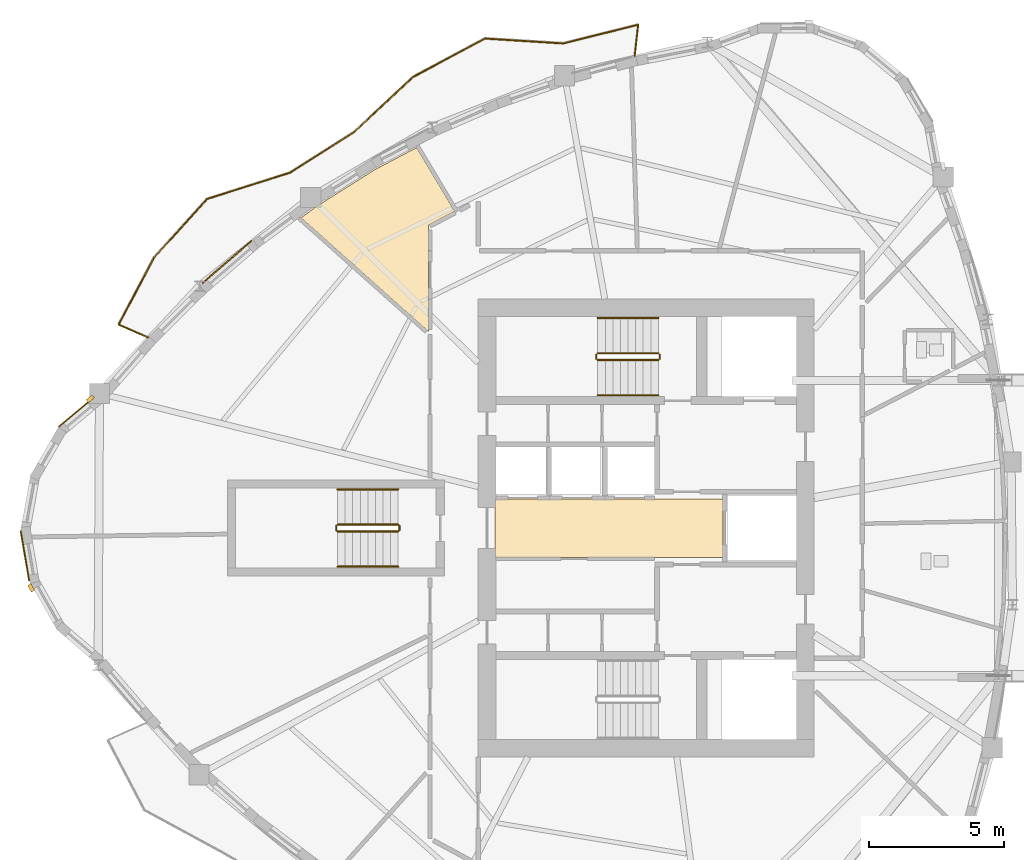
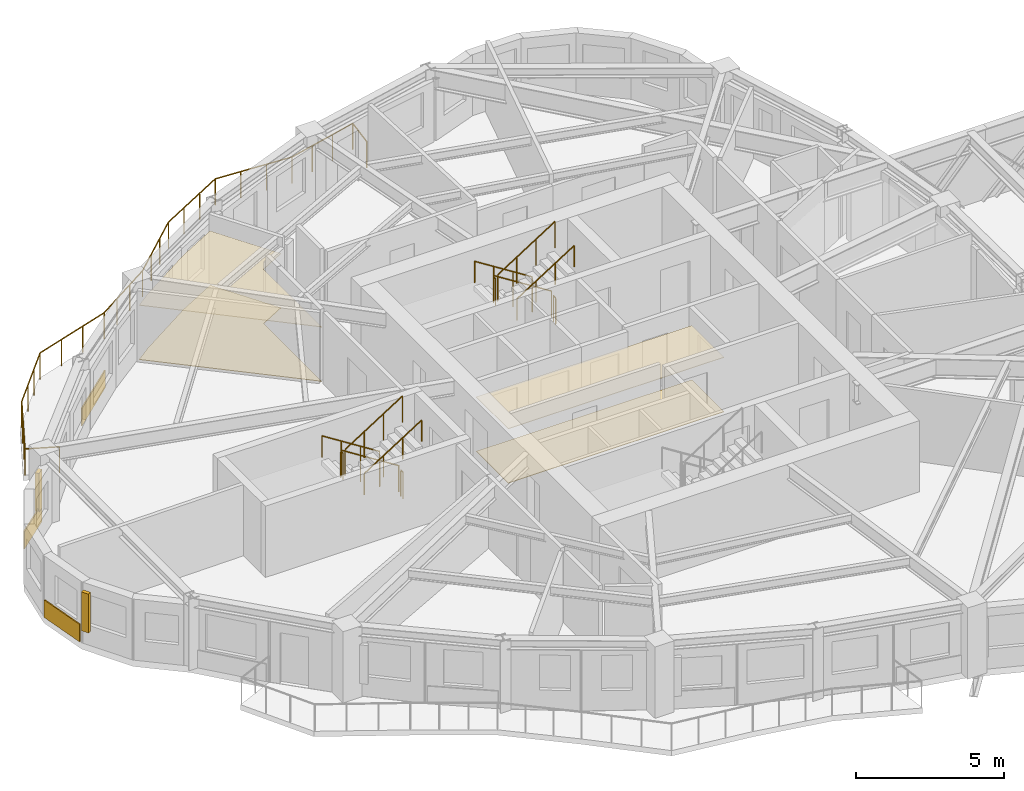
# One storey, part 11 of 13: 13 railings, 7 coverings, 2 shading devices.
"""IFC4 building model written with IfcOpenShell, lengths in metres."""

from ifc_helpers import new_model, si_unit, direction, frame, origin, origin_2d, place, context, subcontext, project, spatial, polyline, rectangle, circle, outline, extrude, source, transform, mapped, material, layer, layer_set, type_object, element, save


model = new_model("IFC4")

# Units and contexts
model_context = context("Model", 3, precision=1e-05, world=origin(), true_north=direction((0.0, 1.0)))
body_context = subcontext(model_context, "Body", "Model", "MODEL_VIEW")
ifc_project = project(units=[si_unit("LENGTHUNIT", "METRE"), si_unit("AREAUNIT", "SQUARE_METRE"), si_unit("VOLUMEUNIT", "CUBIC_METRE"), si_unit("PLANEANGLEUNIT", "RADIAN"), si_unit("MASSUNIT", "GRAM", prefix="KILO")], contexts=[model_context])

# Site, building, storey
site_placement = place(None, origin())
site = spatial("IfcSite", under=ifc_project, at=site_placement, CompositionType="ELEMENT")
building_placement = place(site_placement, origin())
building = spatial("IfcBuilding", under=site, at=building_placement, Name="Qafzar Sky-Pleat Residences", CompositionType="ELEMENT")
storey_placement = place(building_placement, frame((0.0, 0.0, 152.199951171875)))
storey = spatial("IfcBuildingStorey", under=building, at=storey_placement, Name="L45", CompositionType="ELEMENT", Elevation=152.199951171875)

# Coverings
ifc_material_1 = material(Name="Perforated acoustic gypsum board ceiling")
ifc_layer_1 = layer(ifc_material_1, 0.02001953125)
ifc_layer_set_1 = layer_set([ifc_layer_1], Name="Perforated acoustic gypsum board ceiling")
covering_type_1 = type_object("IfcCoveringType", Name="COV-CEIL-ACOUSTIC", PredefinedType="CEILING", material=ifc_layer_set_1)
covering_1_placement = place(storey_placement, frame((0.0, 0.0, 2.239990234375)))
element("IfcCovering", 1, at=covering_1_placement, inside=storey, type_object=covering_type_1, Name="L45 Passenger Lift Lobby Acoustic Ceiling", PredefinedType="CEILING", context=body_context, shape_type="SweptSolid", body=[
    extrude(outline(polyline([(33.179931640625, 24.919921875), (24.77001953125, 24.919921875), (24.77001953125, 27.080078125), (33.179931640625, 27.080078125), (33.179931640625, 24.919921875)])), origin(), (0.0, 0.0, 1.0), 0.02001953125),
])
covering_2_placement = place(storey_placement, frame((0.0, 0.0, 2.239990234375)))
element("IfcCovering", 2, at=covering_2_placement, inside=storey, type_object=covering_type_1, Name="L45 Communal Kitchen Acoustic Ceiling", PredefinedType="CEILING", context=body_context, shape_type="SweptSolid", body=[
    extrude(outline(polyline([(18.1875, 37.873291015625), (20.35693359375, 39.238037109375), (21.875244140625, 40.039306640625), (23.279296875, 37.693603515625), (22.31005859375, 37.181884765625), (22.31005859375, 33.2578125), (17.614990234375, 37.44921875), (18.1875, 37.873291015625)])), origin(), (0.0, 0.0, 1.0), 0.02001953125),
])
ifc_material_2 = material(Name="Honed porcelain and Riyadh stone tile flooring", Category="masonry")
ifc_layer_2 = layer(ifc_material_2, 0.02001953125)
ifc_layer_set_2 = layer_set([ifc_layer_2], Name="Honed porcelain and Riyadh stone tile flooring")
covering_type_2 = type_object("IfcCoveringType", Name="COV-FLR-PORCELAIN", PredefinedType="FLOORING", material=ifc_layer_set_2)
covering_3_placement = place(storey_placement, origin())
element("IfcCovering", 3, at=covering_3_placement, inside=storey, type_object=covering_type_2, Name="L45 Passenger Lift Lobby Honed Stone Flooring", PredefinedType="FLOORING", context=body_context, shape_type="SweptSolid", body=[
    extrude(outline(polyline([(33.179931640625, 24.919921875), (24.77001953125, 24.919921875), (24.77001953125, 27.080078125), (33.179931640625, 27.080078125), (33.179931640625, 24.919921875)])), origin(), (0.0, 0.0, 1.0), 0.02001953125),
])
covering_4_placement = place(storey_placement, origin())
element("IfcCovering", 4, at=covering_4_placement, inside=storey, type_object=covering_type_2, Name="L45 Communal Kitchen Honed Stone Flooring", PredefinedType="FLOORING", context=body_context, shape_type="SweptSolid", body=[
    extrude(outline(polyline([(18.1875, 37.873291015625), (20.35693359375, 39.238037109375), (21.875244140625, 40.039306640625), (23.279296875, 37.693603515625), (22.31005859375, 37.181884765625), (22.31005859375, 33.2578125), (17.614990234375, 37.44921875), (18.1875, 37.873291015625)])), origin(), (0.0, 0.0, 1.0), 0.02001953125),
])

# Shading devices
ifc_material_3 = material(Name="Honed Riyadh limestone solar fin", Category="masonry")
ifc_layer_3 = layer(ifc_material_3, 0.139892578125)
ifc_layer_set_3 = layer_set([ifc_layer_3], Name="Honed Riyadh limestone solar fin")
shading_device_type = type_object("IfcShadingDeviceType", Name="SHD-FIN-STONE", PredefinedType="SHUTTER", material=ifc_layer_set_3)
shared_shape_1 = source(origin(), body_context, "Body", "SweptSolid", [
    extrude(rectangle(XDim=0.139892578125, YDim=0.280029296875, at=origin_2d()), origin(), (0.0, 0.0, 1.0), 1.60009765625),
])
for number, where, z_axis, x_axis, name in (
    (5, (9.833740234375, 30.767333984375, 0.60009765625), (0.0, 0.0, 1.0), (-0.642203231287, 0.766534415225, 0.0), "L45 Limestone Solar Fin 1"),
    (6, (7.65185546875, 23.7919921875, 0.60009765625), (0.0, 0.0, 1.0), (-0.86961473554, -0.493730910245, 0.0), "L45 Limestone Solar Fin 5"),
):
    element("IfcShadingDevice", number, at=place(storey_placement, frame(where, z_axis=z_axis, x_axis=x_axis)), inside=storey, type_object=shading_device_type, Name=name, PredefinedType="SHUTTER", context=body_context, shape_type="MappedRepresentation", body=[
        mapped(shared_shape_1, transform((0.0, 0.0, 0.0), x_axis=(1.0, 0.0, 0.0), y_axis=(0.0, 1.0, 0.0), z_axis=(0.0, 0.0, 1.0), scale=1.0)),
    ])

# Covering
ifc_material_4 = material(Name="Honed Riyadh Tuwaiq limestone cladding", Category="masonry")
ifc_layer_4 = layer(ifc_material_4, 0.044921875)
ifc_layer_set_4 = layer_set([ifc_layer_4], Name="Honed Riyadh Tuwaiq limestone cladding")
covering_type_3 = type_object("IfcCoveringType", Name="COV-CLAD-STONE", PredefinedType="CLADDING", material=ifc_layer_set_4)
shared_shape_2 = source(origin(), body_context, "Body", "SweptSolid", [
    extrude(rectangle(XDim=1.873046875, YDim=0.044921875, at=origin_2d()), origin(), (0.0, 0.0, 1.0), 0.719970703125),
])
covering_5_placement = place(storey_placement, frame((7.420654296875, 24.98046875, 0.02001953125), z_axis=(0.0, 0.0, 1.0), x_axis=(0.168083505524, -0.985772760412, 0.0)))
element("IfcCovering", 7, at=covering_5_placement, inside=storey, type_object=covering_type_3, Name="L45 Riyadh Limestone Spandrel Cladding 4", PredefinedType="CLADDING", context=body_context, shape_type="MappedRepresentation", body=[
    mapped(shared_shape_2, transform((0.0, 0.0, 0.0), x_axis=(1.0, 0.0, 0.0), y_axis=(0.0, 1.0, 0.0), z_axis=(0.0, 0.0, 1.0), scale=1.0)),
])

# Railing
ifc_material_5 = material(Name="Laminated glass and bronze steel balustrade", Category="steel")
railing_type_1 = type_object("IfcRailingType", Name="RAIL-BAL-1100", PredefinedType="BALUSTRADE", material=ifc_material_5)
shared_shape_3 = source(origin(), body_context, "Body", "SweptSolid", [
    extrude(circle(Radius=0.02392578125, at=origin_2d()), frame((0.0, 0.0, 1.076171875), z_axis=(0.11004483681, 0.993926623998, 0.0), x_axis=(-0.993926623998, 0.11004483681, 0.0)), (0.0, 0.0, 1.0), 1.177978515625),
    extrude(circle(Radius=0.02392578125, at=origin_2d()), frame((0.129638671875, 1.1708984375, 1.076171875), z_axis=(-0.970082042591, -0.242777327284, 0.0), x_axis=(0.242777327284, -0.970082042591, 0.0)), (0.0, 0.0, 1.0), 2.851806640625),
    extrude(circle(Radius=0.02392578125, at=origin_2d()), frame((-2.636962890625, 0.478515625, 1.076171875), z_axis=(-0.998049951863, 0.062420297868, 0.0), x_axis=(-0.062420297868, -0.998049951863, 0.0)), (0.0, 0.0, 1.0), 2.894287109375),
    extrude(circle(Radius=0.02392578125, at=origin_2d()), frame((-5.525634765625, 0.6591796875, 1.076171875), z_axis=(-0.881675957054, -0.471855387542, 0.0), x_axis=(0.471855387542, -0.881675957054, 0.0)), (0.0, 0.0, 1.0), 2.998779296875),
    extrude(circle(Radius=0.02392578125, at=origin_2d()), frame((-8.169677734375, -0.755859375, 1.076171875), z_axis=(-0.731104069818, -0.68226595921, 0.0), x_axis=(0.68226595921, -0.731104069818, 0.0)), (0.0, 0.0, 1.0), 2.994384765625),
    extrude(circle(Radius=0.02392578125, at=origin_2d()), frame((-10.35888671875, -2.798828125, 1.076171875), z_axis=(-0.84478081751, -0.535112483845, 0.0), x_axis=(0.535112483845, -0.84478081751, 0.0)), (0.0, 0.0, 1.0), 2.78857421875),
    extrude(circle(Radius=0.02392578125, at=origin_2d()), frame((-12.714599609375, -4.291015625, 1.076171875), z_axis=(-0.95361375082, -0.301032912232, 0.0), x_axis=(0.301032912232, -0.95361375082, 0.0)), (0.0, 0.0, 1.0), 3.204345703125),
    extrude(circle(Radius=0.02392578125, at=origin_2d()), frame((-15.770263671875, -5.255615234375, 1.076171875), z_axis=(-0.671990754736, -0.740559535452, 0.0), x_axis=(0.740559535452, -0.671990754736, 0.0)), (0.0, 0.0, 1.0), 2.923095703125),
    extrude(circle(Radius=0.02392578125, at=origin_2d()), frame((-17.734619140625, -7.42041015625, 1.076171875), z_axis=(-0.466601399342, -0.884467712318, 0.0), x_axis=(0.884467712318, -0.466601399342, 0.0)), (0.0, 0.0, 1.0), 2.80029296875),
    extrude(circle(Radius=0.02392578125, at=origin_2d()), frame((-19.041259765625, -9.897216796875, 1.076171875), z_axis=(0.915724007861, -0.401807841422, 0.0), x_axis=(0.401807841422, 0.915724007861, 0.0)), (0.0, 0.0, 1.0), 1.17822265625),
    extrude(circle(Radius=0.02099609375, at=origin_2d()), origin(), (0.0, 0.0, 1.0), 1.052001953125),
    extrude(circle(Radius=0.02099609375, at=origin_2d()), frame((0.129638671875, 1.1708984375, 0.0)), (0.0, 0.0, 1.0), 1.052001953125),
    extrude(circle(Radius=0.02099609375, at=origin_2d()), frame((-0.79248046875, 0.940185546875, 0.0)), (0.0, 0.0, 1.0), 1.052001953125),
    extrude(circle(Radius=0.02099609375, at=origin_2d()), frame((-1.71484375, 0.709228515625, 0.0)), (0.0, 0.0, 1.0), 1.052001953125),
    extrude(circle(Radius=0.02099609375, at=origin_2d()), frame((-2.636962890625, 0.478515625, 0.0)), (0.0, 0.0, 1.0), 1.052001953125),
    extrude(circle(Radius=0.02099609375, at=origin_2d()), frame((-3.599853515625, 0.538818359375, 0.0)), (0.0, 0.0, 1.0), 1.052001953125),
    extrude(circle(Radius=0.02099609375, at=origin_2d()), frame((-4.562744140625, 0.598876953125, 0.0)), (0.0, 0.0, 1.0), 1.052001953125),
    extrude(circle(Radius=0.02099609375, at=origin_2d()), frame((-5.525634765625, 0.6591796875, 0.0)), (0.0, 0.0, 1.0), 1.052001953125),
    extrude(circle(Radius=0.02099609375, at=origin_2d()), frame((-6.406982421875, 0.1875, 0.0)), (0.0, 0.0, 1.0), 1.052001953125),
    extrude(circle(Radius=0.02099609375, at=origin_2d()), frame((-7.288330078125, -0.2841796875, 0.0)), (0.0, 0.0, 1.0), 1.052001953125),
    extrude(circle(Radius=0.02099609375, at=origin_2d()), frame((-8.169677734375, -0.755859375, 0.0)), (0.0, 0.0, 1.0), 1.052001953125),
    extrude(circle(Radius=0.02099609375, at=origin_2d()), frame((-8.8994140625, -1.436767578125, 0.0)), (0.0, 0.0, 1.0), 1.052001953125),
    extrude(circle(Radius=0.02099609375, at=origin_2d()), frame((-9.629150390625, -2.117919921875, 0.0)), (0.0, 0.0, 1.0), 1.052001953125),
    extrude(circle(Radius=0.02099609375, at=origin_2d()), frame((-10.35888671875, -2.798828125, 0.0)), (0.0, 0.0, 1.0), 1.052001953125),
    extrude(circle(Radius=0.02099609375, at=origin_2d()), frame((-11.14404296875, -3.296142578125, 0.0)), (0.0, 0.0, 1.0), 1.052001953125),
    extrude(circle(Radius=0.02099609375, at=origin_2d()), frame((-11.929443359375, -3.793701171875, 0.0)), (0.0, 0.0, 1.0), 1.052001953125),
    extrude(circle(Radius=0.02099609375, at=origin_2d()), frame((-12.714599609375, -4.291015625, 0.0)), (0.0, 0.0, 1.0), 1.052001953125),
    extrude(circle(Radius=0.02099609375, at=origin_2d()), frame((-13.733154296875, -4.612548828125, 0.0)), (0.0, 0.0, 1.0), 1.052001953125),
    extrude(circle(Radius=0.02099609375, at=origin_2d()), frame((-14.751708984375, -4.93408203125, 0.0)), (0.0, 0.0, 1.0), 1.052001953125),
    extrude(circle(Radius=0.02099609375, at=origin_2d()), frame((-15.770263671875, -5.255615234375, 0.0)), (0.0, 0.0, 1.0), 1.052001953125),
    extrude(circle(Radius=0.02099609375, at=origin_2d()), frame((-16.425048828125, -5.977294921875, 0.0)), (0.0, 0.0, 1.0), 1.052001953125),
    extrude(circle(Radius=0.02099609375, at=origin_2d()), frame((-17.079833984375, -6.69873046875, 0.0)), (0.0, 0.0, 1.0), 1.052001953125),
    extrude(circle(Radius=0.02099609375, at=origin_2d()), frame((-17.734619140625, -7.42041015625, 0.0)), (0.0, 0.0, 1.0), 1.052001953125),
    extrude(circle(Radius=0.02099609375, at=origin_2d()), frame((-18.170166015625, -8.24609375, 0.0)), (0.0, 0.0, 1.0), 1.052001953125),
    extrude(circle(Radius=0.02099609375, at=origin_2d()), frame((-18.605712890625, -9.071533203125, 0.0)), (0.0, 0.0, 1.0), 1.052001953125),
    extrude(circle(Radius=0.02099609375, at=origin_2d()), frame((-19.041259765625, -9.897216796875, 0.0)), (0.0, 0.0, 1.0), 1.052001953125),
    extrude(circle(Radius=0.02099609375, at=origin_2d()), frame((-17.96240234375, -10.37060546875, 0.0)), (0.0, 0.0, 1.0), 1.052001953125),
])
railing_placement = place(storey_placement, frame((29.92578125, 43.405517578125, 0.0)))
element("IfcRailing", 8, at=railing_placement, inside=storey, type_object=railing_type_1, Name="L45 Pleated Balcony 1 Balustrade", PredefinedType="BALUSTRADE", context=body_context, shape_type="MappedRepresentation", body=[
    mapped(shared_shape_3, transform((0.0, 0.0, 0.0), x_axis=(1.0, 0.0, 0.0), y_axis=(0.0, 1.0, 0.0), z_axis=(0.0, 0.0, 1.0), scale=1.0)),
])

# Coverings
shared_shape_4 = source(origin(), body_context, "Body", "SweptSolid", [
    extrude(rectangle(XDim=1.69921875, YDim=0.044921875, at=origin_2d()), origin(), (0.0, 0.0, 1.0), 0.719970703125),
])
covering_6_placement = place(storey_placement, frame((9.317138671875, 30.2783203125, 0.02001953125), z_axis=(0.0, 0.0, 1.0), x_axis=(-0.766569099279, -0.642161830095, 0.0)))
element("IfcCovering", 9, at=covering_6_placement, inside=storey, type_object=covering_type_3, Name="L45 Riyadh Limestone Spandrel Cladding 1", PredefinedType="CLADDING", context=body_context, shape_type="MappedRepresentation", body=[
    mapped(shared_shape_4, transform((0.0, 0.0, 0.0), x_axis=(1.0, 0.0, 0.0), y_axis=(0.0, 1.0, 0.0), z_axis=(0.0, 0.0, 1.0), scale=1.0)),
])
shared_shape_5 = source(origin(), body_context, "Body", "SweptSolid", [
    extrude(rectangle(XDim=2.3896484375, YDim=0.044921875, at=origin_2d()), origin(), (0.0, 0.0, 1.0), 0.719970703125),
])
covering_7_placement = place(storey_placement, frame((14.8798828125, 35.81884765625, 0.02001953125), z_axis=(0.0, 0.0, 1.0), x_axis=(-0.757480604113, -0.652857667791, 0.0)))
element("IfcCovering", 10, at=covering_7_placement, inside=storey, type_object=covering_type_3, Name="L45 Riyadh Limestone Spandrel Cladding 46", PredefinedType="CLADDING", context=body_context, shape_type="MappedRepresentation", body=[
    mapped(shared_shape_5, transform((0.0, 0.0, 0.0), x_axis=(1.0, 0.0, 0.0), y_axis=(0.0, 1.0, 0.0), z_axis=(0.0, 0.0, 1.0), scale=1.0)),
])

# Railings
ifc_material_6 = material(Name="Painted Steel S355 stair guardrail", Category="steel")
railing_type_2 = type_object("IfcRailingType", Name="RAIL-STAIR-GUARD", PredefinedType="GUARDRAIL", material=ifc_material_6)
shared_shape_6 = source(origin(), body_context, "Body", "SweptSolid", [
    extrude(circle(Radius=0.02392578125, at=origin_2d()), frame((0.0, 0.0, 1.076171875), z_axis=(0.0, -1.0, 0.0), x_axis=(1.0, 0.0, 0.0)), (0.0, 0.0, 1.0), 0.14990234375),
    extrude(circle(Radius=0.02099609375, at=origin_2d()), origin(), (0.0, 0.0, 1.0), 1.052001953125),
    extrude(circle(Radius=0.02099609375, at=origin_2d()), frame((0.0, -0.14990234375, 0.0)), (0.0, 0.0, 1.0), 1.052001953125),
])
for number, where, name in (
    (11, (28.510009765625, 32.39990234375, 1.60009765625), "L45 ST2 stair guard 2"),
    (12, (30.85009765625, 32.39990234375, 0.0), "L45 ST2 stair guard 4"),
    (13, (18.909912109375, 26.074951171875, 1.60009765625), "L45 ST3 stair guard 2"),
    (14, (21.25, 26.074951171875, 0.0), "L45 ST3 stair guard 4"),
):
    element("IfcRailing", number, at=place(storey_placement, frame(where)), inside=storey, type_object=railing_type_2, Name=name, PredefinedType="GUARDRAIL", context=body_context, shape_type="MappedRepresentation", body=[
        mapped(shared_shape_6, transform((0.0, 0.0, 0.0), x_axis=(1.0, 0.0, 0.0), y_axis=(0.0, 1.0, 0.0), z_axis=(0.0, 0.0, 1.0), scale=1.0)),
    ])
shared_shape_7 = source(origin(), body_context, "Body", "SweptSolid", [
    extrude(circle(Radius=0.02392578125, at=origin_2d()), frame((0.0, 0.0, 1.076171875), z_axis=(0.8442293374, 0.0, 0.53598211339), x_axis=(0.0, 1.0, 0.0)), (0.0, 0.0, 1.0), 2.6533203125),
    extrude(circle(Radius=0.02099609375, at=origin_2d()), origin(), (0.0, 0.0, 1.0), 1.052001953125),
    extrude(circle(Radius=0.02099609375, at=origin_2d()), frame((0.74658203125, 0.0, 0.47412109375)), (0.0, 0.0, 1.0), 1.052001953125),
    extrude(circle(Radius=0.02099609375, at=origin_2d()), frame((1.493408203125, 0.0, 0.947998046875)), (0.0, 0.0, 1.0), 1.052001953125),
    extrude(circle(Radius=0.02099609375, at=origin_2d()), frame((2.239990234375, 0.0, 1.422119140625)), (0.0, 0.0, 1.0), 1.052001953125),
])
for number, where, name in (
    (15, (28.56005859375, 32.199951171875, 1.77783203125), "L45 ST2 stair guard 3"),
    (16, (18.9599609375, 25.875, 1.77783203125), "L45 ST3 stair guard 3"),
):
    element("IfcRailing", number, at=place(storey_placement, frame(where)), inside=storey, type_object=railing_type_2, Name=name, PredefinedType="GUARDRAIL", context=body_context, shape_type="MappedRepresentation", body=[
        mapped(shared_shape_7, transform((0.0, 0.0, 0.0), x_axis=(1.0, 0.0, 0.0), y_axis=(0.0, 1.0, 0.0), z_axis=(0.0, 0.0, 1.0), scale=1.0)),
    ])
ifc_material_7 = material(Name="Brushed stainless steel handrail", Category="steel")
railing_type_3 = type_object("IfcRailingType", Name="RAIL-STAIR-HAND", PredefinedType="HANDRAIL", material=ifc_material_7)
shared_shape_8 = source(origin(), body_context, "Body", "SweptSolid", [
    extrude(circle(Radius=0.02392578125, at=origin_2d()), frame((0.0, 0.0, 0.8759765625), z_axis=(0.8442293374, 0.0, 0.53598211339), x_axis=(0.0, 1.0, 0.0)), (0.0, 0.0, 1.0), 2.6533203125),
    extrude(circle(Radius=0.02099609375, at=origin_2d()), origin(), (0.0, 0.0, 1.0), 0.851806640625),
    extrude(circle(Radius=0.02099609375, at=origin_2d()), frame((0.74658203125, 0.0, 0.47412109375)), (0.0, 0.0, 1.0), 0.851806640625),
    extrude(circle(Radius=0.02099609375, at=origin_2d()), frame((1.493408203125, 0.0, 0.947998046875)), (0.0, 0.0, 1.0), 0.851806640625),
    extrude(circle(Radius=0.02099609375, at=origin_2d()), frame((2.239990234375, 0.0, 1.422119140625)), (0.0, 0.0, 1.0), 0.851806640625),
])
for number, where, name in (
    (17, (28.56005859375, 30.89990234375, 1.77783203125), "L45 ST2 stair handrail 2"),
    (18, (18.9599609375, 24.574951171875, 1.77783203125), "L45 ST3 stair handrail 2"),
):
    element("IfcRailing", number, at=place(storey_placement, frame(where)), inside=storey, type_object=railing_type_3, Name=name, PredefinedType="HANDRAIL", context=body_context, shape_type="MappedRepresentation", body=[
        mapped(shared_shape_8, transform((0.0, 0.0, 0.0), x_axis=(1.0, 0.0, 0.0), y_axis=(0.0, 1.0, 0.0), z_axis=(0.0, 0.0, 1.0), scale=1.0)),
    ])
shared_shape_9 = source(origin(), body_context, "Body", "SweptSolid", [
    extrude(circle(Radius=0.02392578125, at=origin_2d()), frame((0.0, 0.0, 1.076171875), z_axis=(-0.84418770128, 0.0, 0.536047689118), x_axis=(0.0, -1.0, 0.0)), (0.0, 0.0, 1.0), 2.6533203125),
    extrude(circle(Radius=0.02099609375, at=origin_2d()), origin(), (0.0, 0.0, 1.0), 1.052001953125),
    extrude(circle(Radius=0.02099609375, at=origin_2d()), frame((-0.74658203125, 0.0, 0.47412109375)), (0.0, 0.0, 1.0), 1.052001953125),
    extrude(circle(Radius=0.02099609375, at=origin_2d()), frame((-1.493408203125, 0.0, 0.9482421875)), (0.0, 0.0, 1.0), 1.052001953125),
    extrude(circle(Radius=0.02099609375, at=origin_2d()), frame((-2.239990234375, 0.0, 1.42236328125)), (0.0, 0.0, 1.0), 1.052001953125),
])
for number, where, name in (
    (19, (30.800048828125, 32.449951171875, 0.177734375), "L45 ST2 stair guard 1"),
    (20, (21.199951171875, 26.125, 0.177734375), "L45 ST3 stair guard 1"),
):
    element("IfcRailing", number, at=place(storey_placement, frame(where)), inside=storey, type_object=railing_type_2, Name=name, PredefinedType="GUARDRAIL", context=body_context, shape_type="MappedRepresentation", body=[
        mapped(shared_shape_9, transform((0.0, 0.0, 0.0), x_axis=(1.0, 0.0, 0.0), y_axis=(0.0, 1.0, 0.0), z_axis=(0.0, 0.0, 1.0), scale=1.0)),
    ])
shared_shape_10 = source(origin(), body_context, "Body", "SweptSolid", [
    extrude(circle(Radius=0.02392578125, at=origin_2d()), frame((0.0, 0.0, 0.8759765625), z_axis=(-0.84418770128, 0.0, 0.536047689118), x_axis=(0.0, -1.0, 0.0)), (0.0, 0.0, 1.0), 2.6533203125),
    extrude(circle(Radius=0.02099609375, at=origin_2d()), origin(), (0.0, 0.0, 1.0), 0.851806640625),
    extrude(circle(Radius=0.02099609375, at=origin_2d()), frame((-0.74658203125, 0.0, 0.47412109375)), (0.0, 0.0, 1.0), 0.851806640625),
    extrude(circle(Radius=0.02099609375, at=origin_2d()), frame((-1.493408203125, 0.0, 0.9482421875)), (0.0, 0.0, 1.0), 0.851806640625),
    extrude(circle(Radius=0.02099609375, at=origin_2d()), frame((-2.239990234375, 0.0, 1.42236328125)), (0.0, 0.0, 1.0), 0.851806640625),
])
for number, where, name in (
    (21, (30.800048828125, 33.75, 0.177734375), "L45 ST2 stair handrail 1"),
    (22, (21.199951171875, 27.425048828125, 0.177734375), "L45 ST3 stair handrail 1"),
):
    element("IfcRailing", number, at=place(storey_placement, frame(where)), inside=storey, type_object=railing_type_3, Name=name, PredefinedType="HANDRAIL", context=body_context, shape_type="MappedRepresentation", body=[
        mapped(shared_shape_10, transform((0.0, 0.0, 0.0), x_axis=(1.0, 0.0, 0.0), y_axis=(0.0, 1.0, 0.0), z_axis=(0.0, 0.0, 1.0), scale=1.0)),
    ])

save(model, "model.ifc")
